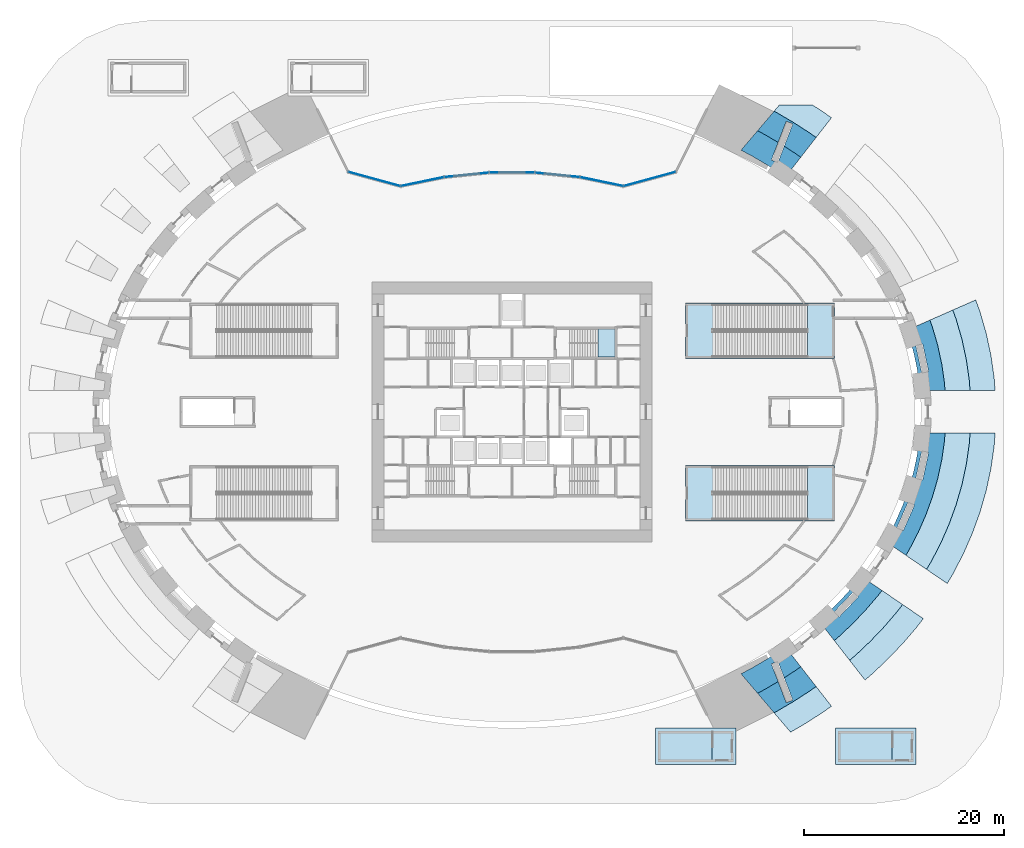
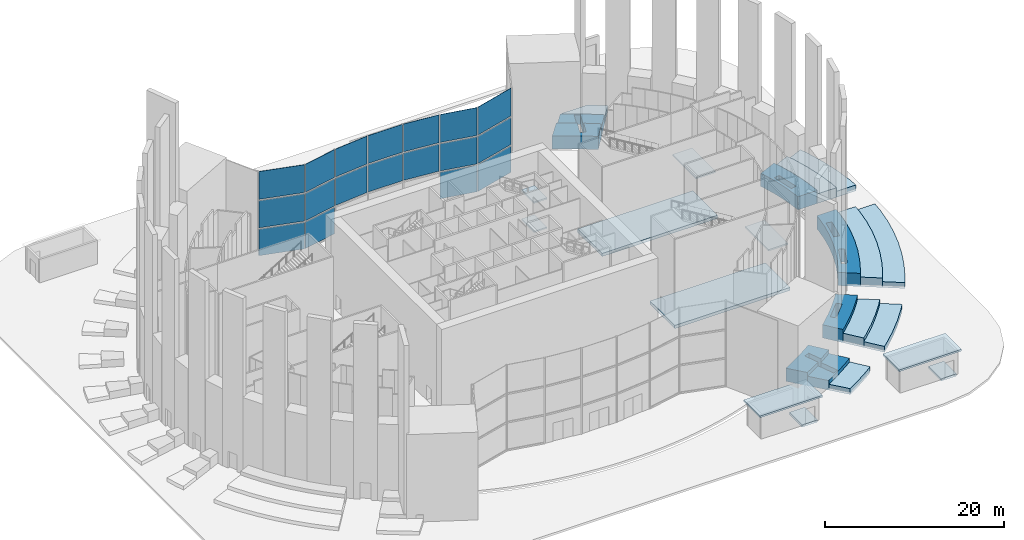
# One storey, part 5 of 25: 25 slabs, 18 plates, 4 elements without a shape of their own.
"""IFC4 building model written with IfcOpenShell, lengths in metres."""

from ifc_helpers import new_model, si_unit, direction, frame, origin, origin_2d, place, context, subcontext, project, spatial, polyline, rectangle, outline, extrude, source, transform, mapped, material, layer, layer_set, type_object, element, aggregate, save


model = new_model("IFC4")

# Units and contexts
model_context = context("Model", 3, precision=1e-05, world=origin(), true_north=direction((0.0, 1.0)))
body_context = subcontext(model_context, "Body", "Model", "MODEL_VIEW")
ifc_project = project(units=[si_unit("LENGTHUNIT", "METRE"), si_unit("AREAUNIT", "SQUARE_METRE"), si_unit("VOLUMEUNIT", "CUBIC_METRE"), si_unit("PLANEANGLEUNIT", "RADIAN"), si_unit("MASSUNIT", "GRAM", prefix="KILO")], contexts=[model_context])

# Site, building, storey
site_placement = place(None, origin())
site = spatial("IfcSite", under=ifc_project, at=site_placement, CompositionType="ELEMENT")
building_placement = place(site_placement, origin())
building = spatial("IfcBuilding", under=site, at=building_placement, Name="Embergate Tower", CompositionType="ELEMENT")
storey_placement = place(building_placement, origin())
storey = spatial("IfcBuildingStorey", under=building, at=storey_placement, Name="L00", CompositionType="ELEMENT", Elevation=0.0)

# Curtain wall, plates
ifc_material_1 = material(Name="Aluminium and glass", Category="aluminium")
curtain_wall_type = type_object("IfcCurtainWallType", Name="Portal infill glazing", PredefinedType="NOTDEFINED", material=ifc_material_1)
curtain_wall_placement = place(storey_placement, origin())
curtain_wall = element("IfcCurtainWall", 1, at=curtain_wall_placement, inside=storey, type_object=curtain_wall_type, Name="Portal infill glazing N porch", ObjectType="PORTAL INFILL GLAZING", PredefinedType="USERDEFINED")
ifc_material_2 = material(Name="Triple glazing, low-emissivity coating", Category="glass")
ifc_layer_1 = layer(ifc_material_2, 0.0458984375)
ifc_layer_set_1 = layer_set([ifc_layer_1], Name="Triple glazing, low-emissivity coating")
plate_type = type_object("IfcPlateType", Name="Portal glazing unit", PredefinedType="CURTAIN_PANEL", material=ifc_layer_set_1)
shared_shape_1 = source(origin(), body_context, "Body", "SweptSolid", [
    extrude(rectangle(XDim=5.27783203125, YDim=0.0458984375, at=origin_2d()), origin(), (0.0, 0.0, 1.0), 3.6298828125),
])
plate_1_placement = place(storey_placement, frame((13.76904296875, 23.303955078125, 0.18017578125), z_axis=(0.0, 0.0, 1.0), x_axis=(-0.96460667999, -0.263692914045, 0.0)))
plate_1 = element("IfcPlate", 2, at=plate_1_placement, type_object=plate_type, Name="CW panel 1.1", PredefinedType="CURTAIN_PANEL", context=body_context, shape_type="MappedRepresentation", body=[
    mapped(shared_shape_1, transform((0.0, 0.0, 0.0))),
])
plate_2_placement = place(storey_placement, frame((-13.76904296875, 23.303955078125, 0.18017578125), z_axis=(0.0, 0.0, 1.0), x_axis=(-0.96460667999, 0.263692914045, 0.0)))
plate_2 = element("IfcPlate", 3, at=plate_2_placement, type_object=plate_type, Name="CW panel 7.1", PredefinedType="CURTAIN_PANEL", context=body_context, shape_type="MappedRepresentation", body=[
    mapped(shared_shape_1, transform((0.0, 0.0, 0.0))),
])
shared_shape_2 = source(origin(), body_context, "Body", "SweptSolid", [
    extrude(rectangle(XDim=5.27783203125, YDim=0.0458984375, at=origin_2d()), origin(), (0.0, 0.0, 1.0), 3.719970703125),
])
plate_3_placement = place(storey_placement, frame((13.76904296875, 23.303955078125, 3.990234375), z_axis=(0.0, 0.0, 1.0), x_axis=(-0.96460667999, -0.263692914045, 0.0)))
plate_3 = element("IfcPlate", 4, at=plate_3_placement, type_object=plate_type, Name="CW panel 1.2", PredefinedType="CURTAIN_PANEL", context=body_context, shape_type="MappedRepresentation", body=[
    mapped(shared_shape_2, transform((0.0, 0.0, 0.0))),
])
plate_4_placement = place(storey_placement, frame((-13.76904296875, 23.303955078125, 3.990234375), z_axis=(0.0, 0.0, 1.0), x_axis=(-0.96460667999, 0.263692914045, 0.0)))
plate_4 = element("IfcPlate", 5, at=plate_4_placement, type_object=plate_type, Name="CW panel 7.2", PredefinedType="CURTAIN_PANEL", context=body_context, shape_type="MappedRepresentation", body=[
    mapped(shared_shape_2, transform((0.0, 0.0, 0.0))),
])
shared_shape_3 = source(origin(), body_context, "Body", "SweptSolid", [
    extrude(rectangle(XDim=5.27783203125, YDim=0.0458984375, at=origin_2d()), origin(), (0.0, 0.0, 1.0), 3.81005859375),
])
plate_5_placement = place(storey_placement, frame((13.76904296875, 23.303955078125, 7.889892578125), z_axis=(0.0, 0.0, 1.0), x_axis=(-0.96460667999, -0.263692914045, 0.0)))
plate_5 = element("IfcPlate", 6, at=plate_5_placement, type_object=plate_type, Name="CW panel 1.3", PredefinedType="CURTAIN_PANEL", context=body_context, shape_type="MappedRepresentation", body=[
    mapped(shared_shape_3, transform((0.0, 0.0, 0.0))),
])
plate_6_placement = place(storey_placement, frame((-13.76904296875, 23.303955078125, 7.889892578125), z_axis=(0.0, 0.0, 1.0), x_axis=(-0.96460667999, 0.263692914045, 0.0)))
plate_6 = element("IfcPlate", 7, at=plate_6_placement, type_object=plate_type, Name="CW panel 7.3", PredefinedType="CURTAIN_PANEL", context=body_context, shape_type="MappedRepresentation", body=[
    mapped(shared_shape_3, transform((0.0, 0.0, 0.0))),
])
shared_shape_4 = source(origin(), body_context, "Body", "SweptSolid", [
    extrude(rectangle(XDim=4.322509765625, YDim=0.0458984375, at=origin_2d()), origin(), (0.0, 0.0, 1.0), 3.6298828125),
])
plate_7_placement = place(storey_placement, frame((8.970458984375, 23.03857421875, 0.18017578125), z_axis=(0.0, 0.0, 1.0), x_axis=(-0.979538383697, 0.201257434309, 0.0)))
plate_7 = element("IfcPlate", 8, at=plate_7_placement, type_object=plate_type, Name="CW panel 2.1", PredefinedType="CURTAIN_PANEL", context=body_context, shape_type="MappedRepresentation", body=[
    mapped(shared_shape_4, transform((0.0, 0.0, 0.0))),
])
plate_8_placement = place(storey_placement, frame((-8.970458984375, 23.03857421875, 0.18017578125), z_axis=(0.0, 0.0, 1.0), x_axis=(-0.979538383697, -0.201257434309, 0.0)))
plate_8 = element("IfcPlate", 9, at=plate_8_placement, type_object=plate_type, Name="CW panel 6.1", PredefinedType="CURTAIN_PANEL", context=body_context, shape_type="MappedRepresentation", body=[
    mapped(shared_shape_4, transform((0.0, 0.0, 0.0))),
])
shared_shape_5 = source(origin(), body_context, "Body", "SweptSolid", [
    extrude(rectangle(XDim=4.322509765625, YDim=0.0458984375, at=origin_2d()), origin(), (0.0, 0.0, 1.0), 3.719970703125),
])
plate_9_placement = place(storey_placement, frame((8.970458984375, 23.03857421875, 3.990234375), z_axis=(0.0, 0.0, 1.0), x_axis=(-0.979538383697, 0.201257434309, 0.0)))
plate_9 = element("IfcPlate", 10, at=plate_9_placement, type_object=plate_type, Name="CW panel 2.2", PredefinedType="CURTAIN_PANEL", context=body_context, shape_type="MappedRepresentation", body=[
    mapped(shared_shape_5, transform((0.0, 0.0, 0.0))),
])
plate_10_placement = place(storey_placement, frame((-8.970458984375, 23.03857421875, 3.990234375), z_axis=(0.0, 0.0, 1.0), x_axis=(-0.979538383697, -0.201257434309, 0.0)))
plate_10 = element("IfcPlate", 11, at=plate_10_placement, type_object=plate_type, Name="CW panel 6.2", PredefinedType="CURTAIN_PANEL", context=body_context, shape_type="MappedRepresentation", body=[
    mapped(shared_shape_5, transform((0.0, 0.0, 0.0))),
])
shared_shape_6 = source(origin(), body_context, "Body", "SweptSolid", [
    extrude(rectangle(XDim=4.322509765625, YDim=0.0458984375, at=origin_2d()), origin(), (0.0, 0.0, 1.0), 3.81005859375),
])
plate_11_placement = place(storey_placement, frame((8.970458984375, 23.03857421875, 7.889892578125), z_axis=(0.0, 0.0, 1.0), x_axis=(-0.979538383697, 0.201257434309, 0.0)))
plate_11 = element("IfcPlate", 12, at=plate_11_placement, type_object=plate_type, Name="CW panel 2.3", PredefinedType="CURTAIN_PANEL", context=body_context, shape_type="MappedRepresentation", body=[
    mapped(shared_shape_6, transform((0.0, 0.0, 0.0))),
])
plate_12_placement = place(storey_placement, frame((-8.970458984375, 23.03857421875, 7.889892578125), z_axis=(0.0, 0.0, 1.0), x_axis=(-0.979538383697, -0.201257434309, 0.0)))
plate_12 = element("IfcPlate", 13, at=plate_12_placement, type_object=plate_type, Name="CW panel 6.3", PredefinedType="CURTAIN_PANEL", context=body_context, shape_type="MappedRepresentation", body=[
    mapped(shared_shape_6, transform((0.0, 0.0, 0.0))),
])
shared_shape_7 = source(origin(), body_context, "Body", "SweptSolid", [
    extrude(rectangle(XDim=4.390869140625, YDim=0.0458984375, at=origin_2d()), origin(), (0.0, 0.0, 1.0), 3.719970703125),
])
plate_13_placement = place(storey_placement, frame((4.531005859375, 23.71533203125, 3.990234375), z_axis=(0.0, 0.0, 1.0), x_axis=(-0.994941904343, 0.100452013328, 0.0)))
plate_13 = element("IfcPlate", 14, at=plate_13_placement, type_object=plate_type, Name="CW panel 3.2", PredefinedType="CURTAIN_PANEL", context=body_context, shape_type="MappedRepresentation", body=[
    mapped(shared_shape_7, transform((0.0, 0.0, 0.0))),
])
plate_14_placement = place(storey_placement, frame((-4.531005859375, 23.71533203125, 3.990234375), z_axis=(0.0, 0.0, 1.0), x_axis=(-0.994941904343, -0.100452013328, 0.0)))
plate_14 = element("IfcPlate", 15, at=plate_14_placement, type_object=plate_type, Name="CW panel 5.2", PredefinedType="CURTAIN_PANEL", context=body_context, shape_type="MappedRepresentation", body=[
    mapped(shared_shape_7, transform((0.0, 0.0, 0.0))),
])
shared_shape_8 = source(origin(), body_context, "Body", "SweptSolid", [
    extrude(rectangle(XDim=4.390869140625, YDim=0.0458984375, at=origin_2d()), origin(), (0.0, 0.0, 1.0), 3.81005859375),
])
plate_15_placement = place(storey_placement, frame((4.531005859375, 23.71533203125, 7.889892578125), z_axis=(0.0, 0.0, 1.0), x_axis=(-0.994941904343, 0.100452013328, 0.0)))
plate_15 = element("IfcPlate", 16, at=plate_15_placement, type_object=plate_type, Name="CW panel 3.3", PredefinedType="CURTAIN_PANEL", context=body_context, shape_type="MappedRepresentation", body=[
    mapped(shared_shape_8, transform((0.0, 0.0, 0.0))),
])
plate_16_placement = place(storey_placement, frame((-4.531005859375, 23.71533203125, 7.889892578125), z_axis=(0.0, 0.0, 1.0), x_axis=(-0.994941904343, -0.100452013328, 0.0)))
plate_16 = element("IfcPlate", 17, at=plate_16_placement, type_object=plate_type, Name="CW panel 5.3", PredefinedType="CURTAIN_PANEL", context=body_context, shape_type="MappedRepresentation", body=[
    mapped(shared_shape_8, transform((0.0, 0.0, 0.0))),
])
shared_shape_9 = source(origin(), body_context, "Body", "SweptSolid", [
    extrude(rectangle(XDim=4.4140625, YDim=0.0458984375, at=origin_2d()), origin(), (0.0, 0.0, 1.0), 3.719970703125),
])
plate_17_placement = place(storey_placement, frame((0.0, 23.94287109375, 3.990234375), z_axis=(0.0, 0.0, 1.0), x_axis=(-1.0, 0.0, 0.0)))
plate_17 = element("IfcPlate", 18, at=plate_17_placement, type_object=plate_type, Name="CW panel 4.2", PredefinedType="CURTAIN_PANEL", context=body_context, shape_type="MappedRepresentation", body=[
    mapped(shared_shape_9, transform((0.0, 0.0, 0.0))),
])
shared_shape_10 = source(origin(), body_context, "Body", "SweptSolid", [
    extrude(rectangle(XDim=4.4140625, YDim=0.0458984375, at=origin_2d()), origin(), (0.0, 0.0, 1.0), 3.81005859375),
])
plate_18_placement = place(storey_placement, frame((0.0, 23.94287109375, 7.889892578125), z_axis=(0.0, 0.0, 1.0), x_axis=(-1.0, 0.0, 0.0)))
plate_18 = element("IfcPlate", 19, at=plate_18_placement, type_object=plate_type, Name="CW panel 4.3", PredefinedType="CURTAIN_PANEL", context=body_context, shape_type="MappedRepresentation", body=[
    mapped(shared_shape_10, transform((0.0, 0.0, 0.0))),
])
aggregate(curtain_wall, [plate_1, plate_3, plate_5, plate_7, plate_9, plate_11, plate_13, plate_15, plate_17, plate_18, plate_14, plate_16, plate_8, plate_10, plate_12, plate_2, plate_4, plate_6])

# Stair, slabs
ifc_material_3 = material(Name="Exit stair")
stair_type_1 = type_object("IfcStairType", Name="Exit stair", PredefinedType="HALF_TURN_STAIR", material=ifc_material_3)
stair_1_placement = place(storey_placement, origin())
stair_1 = element("IfcStair", 20, at=stair_1_placement, inside=storey, type_object=stair_type_1, Name="L00 Exit stair 2", PredefinedType="HALF_TURN_STAIR")
ifc_material_4 = material(Name="Concrete C40", Category="concrete")
ifc_layer_2 = layer(ifc_material_4, 0.199951171875)
ifc_layer_set_2 = layer_set([ifc_layer_2], Name="Concrete C40")
slab_type_1 = type_object("IfcSlabType", Name="Stair landing reinforced concrete", PredefinedType="LANDING", material=ifc_layer_set_2)
shared_shape_11 = source(origin(), body_context, "Body", "SweptSolid", [
    extrude(outline(polyline([(0.0, 0.0), (1.68994140625, 0.0), (1.68994140625, 2.800048828125), (0.0, 2.800048828125), (0.0, 0.0)])), origin(), (0.0, 0.0, 1.0), 0.199951171875),
])
slab_1_placement = place(storey_placement, frame((8.610107421875, 5.5, 5.800048828125)))
slab_1 = element("IfcSlab", 21, at=slab_1_placement, type_object=slab_type_1, Name="ST2 landing 3", PredefinedType="LANDING", context=body_context, shape_type="MappedRepresentation", body=[
    mapped(shared_shape_11, transform((0.0, 0.0, 0.0))),
])
slab_2_placement = place(storey_placement, frame((8.610107421875, 5.5, 9.800048828125)))
slab_2 = element("IfcSlab", 22, at=slab_2_placement, type_object=slab_type_1, Name="ST2 landing 5", PredefinedType="LANDING", context=body_context, shape_type="MappedRepresentation", body=[
    mapped(shared_shape_11, transform((0.0, 0.0, 0.0))),
])
aggregate(stair_1, [slab_1, slab_2])

# Slabs
ifc_layer_3 = layer(ifc_material_4, 0.419921875)
ifc_layer_set_3 = layer_set([ifc_layer_3], Name="Concrete C40")
slab_type_2 = type_object("IfcSlabType", Name="Stair base slab C40 420", PredefinedType="FLOOR", material=ifc_layer_set_3)
shared_shape_12 = source(origin(), body_context, "Body", "SweptSolid", [
    extrude(outline(polyline([(0.0, 0.0), (0.0, 5.5498046875), (14.919921875, 5.5498046875), (14.919921875, 0.0), (0.0, 0.0)])), origin(), (0.0, 0.0, 1.0), 0.419921875),
])
for number, where, name in (
    (23, (17.35009765625, 5.35009765625, -0.419921875), "Stair base slab"),
    (24, (17.35009765625, -10.89990234375, -0.419921875), "Stair base slab"),
):
    element("IfcSlab", number, at=place(storey_placement, frame(where)), inside=storey, type_object=slab_type_2, Name=name, PredefinedType="FLOOR", context=body_context, shape_type="MappedRepresentation", body=[
        mapped(shared_shape_12, transform((0.0, 0.0, 0.0))),
    ])

# Stair, slab
stair_type_2 = type_object("IfcStairType", Name="Podium exit stair RC", PredefinedType="HALF_TURN_STAIR", material=ifc_material_4)
stair_2_placement = place(storey_placement, origin())
stair_2 = element("IfcStair", 25, at=stair_2_placement, inside=storey, type_object=stair_type_2, Name="L00 Podium exit stair 1", PredefinedType="HALF_TURN_STAIR")
ifc_layer_4 = layer(ifc_material_4, 0.199951171875)
ifc_layer_set_4 = layer_set([ifc_layer_4], Name="Concrete C40")
slab_type_3 = type_object("IfcSlabType", Name="Podium exit stair landing RC", PredefinedType="LANDING", material=ifc_layer_set_4)
shared_shape_13 = source(origin(), body_context, "Body", "SweptSolid", [
    extrude(outline(polyline([(0.0, 0.0), (2.550048828125, 0.0), (2.550048828125, 5.25), (0.0, 5.25), (0.0, 0.0)])), origin(), (0.0, 0.0, 1.0), 0.199951171875),
])
slab_3_placement = place(storey_placement, frame((29.570068359375, 5.5, 5.800048828125)))
slab_3 = element("IfcSlab", 26, at=slab_3_placement, type_object=slab_type_3, Name="P1 landing 1", PredefinedType="LANDING", context=body_context, shape_type="MappedRepresentation", body=[
    mapped(shared_shape_13, transform((0.0, 0.0, 0.0))),
])
aggregate(stair_2, [slab_3])

stair_3_placement = place(storey_placement, origin())
stair_3 = element("IfcStair", 27, at=stair_3_placement, inside=storey, type_object=stair_type_2, Name="L00 Podium exit stair 2", PredefinedType="HALF_TURN_STAIR")
slab_4_placement = place(storey_placement, frame((29.570068359375, -10.75, 5.800048828125)))
slab_4 = element("IfcSlab", 28, at=slab_4_placement, type_object=slab_type_3, Name="P2 landing 1", PredefinedType="LANDING", context=body_context, shape_type="MappedRepresentation", body=[
    mapped(shared_shape_13, transform((0.0, 0.0, 0.0))),
])
aggregate(stair_3, [slab_4])

# Slabs
ifc_layer_5 = layer(ifc_material_4, 0.300048828125)
ifc_layer_set_5 = layer_set([ifc_layer_5], Name="Concrete C40")
slab_type_4 = type_object("IfcSlabType", Name="Pavilion floor C40 300", PredefinedType="FLOOR", material=ifc_layer_set_5)
shared_shape_14 = source(origin(), body_context, "Body", "SweptSolid", [
    extrude(outline(polyline([(0.0, 0.0), (0.0, 2.85009765625), (2.0, 2.85009765625), (2.0, 0.0), (0.0, 0.0)])), origin(), (0.0, 0.0, 1.0), 0.300048828125),
])
for number, where, name in (
    (29, (20.0, -34.85009765625, -0.300048828125), "Pavilion floor"),
    (30, (38.0, -34.85009765625, -0.300048828125), "Pavilion floor"),
):
    element("IfcSlab", number, at=place(storey_placement, frame(where)), inside=storey, type_object=slab_type_4, Name=name, PredefinedType="FLOOR", context=body_context, shape_type="MappedRepresentation", body=[
        mapped(shared_shape_14, transform((0.0, 0.0, 0.0))),
    ])
ifc_layer_6 = layer(ifc_material_4, 0.25)
ifc_layer_set_6 = layer_set([ifc_layer_6], Name="Concrete C40")
slab_type_5 = type_object("IfcSlabType", Name="Stair head house roof C40 250", PredefinedType="ROOF", material=ifc_layer_set_6)
shared_shape_15 = source(origin(), body_context, "Body", "SweptSolid", [
    extrude(outline(polyline([(0.0, 0.0), (8.06982421875, 0.0), (8.06982421875, 3.64990234375), (0.0, 3.64990234375), (0.0, 0.0)])), origin(), (0.0, 0.0, 1.0), 0.25),
])
for number, where, name in (
    (31, (14.330078125, -35.25, 3.199951171875), "Stair head house roof"),
    (32, (32.330078125, -35.25, 3.199951171875), "Stair head house roof"),
):
    element("IfcSlab", number, at=place(storey_placement, frame(where)), inside=storey, type_object=slab_type_5, Name=name, PredefinedType="ROOF", context=body_context, shape_type="MappedRepresentation", body=[
        mapped(shared_shape_15, transform((0.0, 0.0, 0.0))),
    ])
ifc_material_5 = material(Name="Stone on concrete fill", Category="masonry")
ifc_layer_7 = layer(ifc_material_5, 0.5)
ifc_layer_set_7 = layer_set([ifc_layer_7], Name="Stone plinth step")
slab_type_6 = type_object("IfcSlabType", Name="Plinth step stone 500", PredefinedType="USERDEFINED", material=ifc_layer_set_7)
shared_shape_16 = source(origin(), body_context, "Body", "SweptSolid", [
    extrude(outline(polyline([(0.0, 0.0), (2.505126953125, 0.0), (2.451171875, 0.757080078125), (2.18017578125, 2.64990234375), (1.776123046875, 4.52490234375), (1.2421875, 6.3759765625), (0.9921875, 7.06494140625), (-1.2998046875, 6.055908203125), (-1.135009765625, 5.60107421875), (-0.64794921875, 3.9150390625), (-0.281005859375, 2.208984375), (-0.034912109375, 0.489990234375), (0.0, 0.0)]), holes=[polyline([(0.18408203125, 1.763916015625), (-0.412841796875, 4.528076171875), (0.27099609375, 4.676025390625), (0.8681640625, 1.912109375), (0.18408203125, 1.763916015625)])]), origin(), (0.0, 0.0, 1.0), 1.800048828125),
])
slab_5_placement = place(storey_placement, frame((40.794921875, 2.125, -0.300048828125)))
element("IfcSlab", 33, at=slab_5_placement, inside=storey, type_object=slab_type_6, Name="Plinth step", ObjectType="PLINTH STEP", PredefinedType="USERDEFINED", context=body_context, shape_type="MappedRepresentation", body=[
    mapped(shared_shape_16, transform((0.0, 0.0, 0.0))),
])
shared_shape_17 = source(origin(), body_context, "Body", "SweptSolid", [
    extrude(outline(polyline([(0.0, 0.0), (-0.38623046875, 0.27392578125), (-1.82421875, 1.201904296875), (-3.314208984375, 2.0791015625), (-4.442138671875, 2.680908203125), (-2.7861328125, 4.6298828125), (-2.092041015625, 4.259033203125), (-0.72412109375, 3.455078125), (-1.404052734375, 1.68896484375), (-0.751220703125, 1.43701171875), (-0.1201171875, 3.076904296875), (1.014892578125, 2.343994140625), (1.536865234375, 1.97412109375), (0.0, 0.0)])), origin(), (0.0, 0.0, 1.0), 1.800048828125),
])
slab_6_placement = place(storey_placement, frame((27.339111328125, 23.5, -0.300048828125)))
element("IfcSlab", 34, at=slab_6_placement, inside=storey, type_object=slab_type_6, Name="Plinth step", ObjectType="PLINTH STEP", PredefinedType="USERDEFINED", context=body_context, shape_type="MappedRepresentation", body=[
    mapped(shared_shape_17, transform((0.0, 0.0, 0.0))),
])
shared_shape_18 = source(origin(), body_context, "Body", "SweptSolid", [
    extrude(outline(polyline([(0.0, 0.0), (-1.656005859375, 1.948974609375), (-0.528076171875, 2.55078125), (0.9619140625, 3.427978515625), (2.39990234375, 4.35595703125), (2.7861328125, 4.6298828125), (4.322998046875, 2.65576171875), (3.801025390625, 2.285888671875), (2.666015625, 1.552978515625), (2.034912109375, 3.19287109375), (1.382080078125, 2.94091796875), (2.06201171875, 1.1748046875), (0.694091796875, 0.370849609375), (0.0, 0.0)])), origin(), (0.0, 0.0, 1.0), 1.800048828125),
])
slab_7_placement = place(storey_placement, frame((24.552978515625, -28.1298828125, -0.300048828125)))
element("IfcSlab", 35, at=slab_7_placement, inside=storey, type_object=slab_type_6, Name="Plinth step", ObjectType="PLINTH STEP", PredefinedType="USERDEFINED", context=body_context, shape_type="MappedRepresentation", body=[
    mapped(shared_shape_18, transform((0.0, 0.0, 0.0))),
])
shared_shape_19 = source(origin(), body_context, "Body", "SweptSolid", [
    extrude(outline(polyline([(0.0, 0.0), (0.491943359375, 0.421875), (1.85888671875, 1.7158203125), (3.14501953125, 3.06494140625), (4.347900390625, 4.4658203125), (4.77001953125, 5.015869140625), (2.701904296875, 6.427001953125), (2.407958984375, 6.04296875), (1.2919921875, 4.742919921875), (0.094970703125, 3.48681640625), (-1.18115234375, 2.27978515625), (-1.537109375, 1.973876953125), (0.0, 0.0)]), holes=[polyline([(0.492919921875, 2.372802734375), (-0.01318359375, 2.85693359375), (1.891845703125, 4.848876953125), (2.39794921875, 4.364990234375), (0.492919921875, 2.372802734375)])]), origin(), (0.0, 0.0, 1.0), 1.800048828125),
])
slab_8_placement = place(storey_placement, frame((32.22607421875, -22.85888671875, -0.300048828125)))
element("IfcSlab", 36, at=slab_8_placement, inside=storey, type_object=slab_type_6, Name="Plinth step", ObjectType="PLINTH STEP", PredefinedType="USERDEFINED", context=body_context, shape_type="MappedRepresentation", body=[
    mapped(shared_shape_19, transform((0.0, 0.0, 0.0))),
])
shared_shape_20 = source(origin(), body_context, "Body", "SweptSolid", [
    extrude(outline(polyline([(0.0, 0.0), (0.361083984375, 0.60498046875), (1.241943359375, 2.30810546875), (2.006103515625, 4.051025390625), (2.651123046875, 5.828125), (3.18505859375, 7.67919921875), (3.589111328125, 9.55419921875), (3.860107421875, 11.447021484375), (3.9140625, 12.2041015625), (1.408935546875, 12.2041015625), (1.3740234375, 11.714111328125), (1.1279296875, 9.9951171875), (0.760986328125, 8.2890625), (0.27392578125, 6.60302734375), (-0.31494140625, 4.97998046875), (-1.013916015625, 3.385009765625), (-1.822021484375, 1.822021484375), (-2.06787109375, 1.4111328125), (0.0, 0.0)]), holes=[polyline([(-0.265869140625, 2.45703125), (-0.906005859375, 2.739013671875), (0.22412109375, 5.30908203125), (0.864990234375, 5.027099609375), (-0.265869140625, 2.45703125)]), polyline([(1.679931640625, 7.528076171875), (0.99609375, 7.676025390625), (1.593017578125, 10.440185546875), (2.277099609375, 10.2919921875), (1.679931640625, 7.528076171875)])]), origin(), (0.0, 0.0, 1.0), 1.800048828125),
])
slab_9_placement = place(storey_placement, frame((39.385986328125, -14.3291015625, -0.300048828125)))
element("IfcSlab", 37, at=slab_9_placement, inside=storey, type_object=slab_type_6, Name="Plinth step", ObjectType="PLINTH STEP", PredefinedType="USERDEFINED", context=body_context, shape_type="MappedRepresentation", body=[
    mapped(shared_shape_20, transform((0.0, 0.0, 0.0))),
])
shared_shape_21 = source(origin(), body_context, "Body", "SweptSolid", [
    extrude(outline(polyline([(0.0, 0.0), (-0.053955078125, 0.757080078125), (-0.324951171875, 2.64990234375), (-0.72900390625, 4.52490234375), (-1.262939453125, 6.3759765625), (-1.512939453125, 7.06494140625), (0.779052734375, 8.073974609375), (1.114013671875, 7.15087890625), (1.696044921875, 5.135009765625), (2.135986328125, 3.090087890625), (2.430908203125, 1.02392578125), (2.50390625, 0.0), (0.0, 0.0)])), origin(), (0.0, 0.0, 1.0), 1.300048828125),
])
slab_10_placement = place(storey_placement, frame((43.300048828125, 2.125, -0.300048828125)))
element("IfcSlab", 38, at=slab_10_placement, inside=storey, type_object=slab_type_6, Name="Plinth step", ObjectType="PLINTH STEP", PredefinedType="USERDEFINED", context=body_context, shape_type="MappedRepresentation", body=[
    mapped(shared_shape_21, transform((0.0, 0.0, 0.0))),
])
shared_shape_22 = source(origin(), body_context, "Body", "SweptSolid", [
    extrude(outline(polyline([(0.0, 0.0), (-0.52197265625, 0.369873046875), (-1.656982421875, 1.102783203125), (-0.79296875, 3.3427734375), (-1.446044921875, 3.594970703125), (-2.260986328125, 1.48095703125), (-3.62890625, 2.284912109375), (-4.322998046875, 2.65576171875), (-2.66796875, 4.60498046875), (-2.406982421875, 4.4658203125), (-0.737060546875, 3.48388671875), (0.87890625, 2.44091796875), (1.537109375, 1.973876953125), (0.0, 0.0)])), origin(), (0.0, 0.0, 1.0), 1.300048828125),
])
slab_11_placement = place(storey_placement, frame((28.8759765625, 25.47412109375, -0.300048828125)))
element("IfcSlab", 39, at=slab_11_placement, inside=storey, type_object=slab_type_6, Name="Plinth step", ObjectType="PLINTH STEP", PredefinedType="USERDEFINED", context=body_context, shape_type="MappedRepresentation", body=[
    mapped(shared_shape_22, transform((0.0, 0.0, 0.0))),
])
shared_shape_23 = source(origin(), body_context, "Body", "SweptSolid", [
    extrude(outline(polyline([(0.0, 0.0), (-1.655029296875, 1.94921875), (-0.9609375, 2.320068359375), (0.406982421875, 3.1240234375), (1.221923828125, 1.010009765625), (1.875, 1.26220703125), (1.010986328125, 3.502197265625), (2.14599609375, 4.235107421875), (2.66796875, 4.60498046875), (4.205078125, 2.631103515625), (3.546875, 2.1640625), (1.930908203125, 1.12109375), (0.260986328125, 0.13916015625), (0.0, 0.0)])), origin(), (0.0, 0.0, 1.0), 1.300048828125),
])
slab_12_placement = place(storey_placement, frame((26.2080078125, -30.0791015625, -0.300048828125)))
element("IfcSlab", 40, at=slab_12_placement, inside=storey, type_object=slab_type_6, Name="Plinth step", ObjectType="PLINTH STEP", PredefinedType="USERDEFINED", context=body_context, shape_type="MappedRepresentation", body=[
    mapped(shared_shape_23, transform((0.0, 0.0, 0.0))),
])
shared_shape_24 = source(origin(), body_context, "Body", "SweptSolid", [
    extrude(outline(polyline([(0.0, 0.0), (-1.537841796875, 1.97412109375), (-1.0458984375, 2.39599609375), (0.321044921875, 3.68994140625), (1.607177734375, 5.0390625), (2.81005859375, 6.43994140625), (3.232177734375, 6.989990234375), (5.300048828125, 5.580078125), (4.7490234375, 4.863037109375), (3.461181640625, 3.361083984375), (2.085205078125, 1.9189453125), (0.627197265625, 0.5380859375), (0.0, 0.0)])), origin(), (0.0, 0.0, 1.0), 1.300048828125),
])
slab_13_placement = place(storey_placement, frame((33.763916015625, -24.8330078125, -0.300048828125)))
element("IfcSlab", 41, at=slab_13_placement, inside=storey, type_object=slab_type_6, Name="Plinth step", ObjectType="PLINTH STEP", PredefinedType="USERDEFINED", context=body_context, shape_type="MappedRepresentation", body=[
    mapped(shared_shape_24, transform((0.0, 0.0, 0.0))),
])
shared_shape_25 = source(origin(), body_context, "Body", "SweptSolid", [
    extrude(outline(polyline([(0.0, 0.0), (-2.069091796875, 1.409912109375), (-1.7080078125, 2.014892578125), (-0.8271484375, 3.718017578125), (-0.06298828125, 5.4609375), (0.58203125, 7.238037109375), (1.115966796875, 9.089111328125), (1.52001953125, 10.964111328125), (1.791015625, 12.85693359375), (1.844970703125, 13.614013671875), (4.348876953125, 13.614013671875), (4.27587890625, 12.590087890625), (3.98095703125, 10.52392578125), (3.541015625, 8.47900390625), (2.958984375, 6.463134765625), (2.2578125, 4.531005859375), (1.428955078125, 2.64111328125), (0.475830078125, 0.798095703125), (0.0, 0.0)])), origin(), (0.0, 0.0, 1.0), 1.300048828125),
])
slab_14_placement = place(storey_placement, frame((41.455078125, -15.739013671875, -0.300048828125)))
element("IfcSlab", 42, at=slab_14_placement, inside=storey, type_object=slab_type_6, Name="Plinth step", ObjectType="PLINTH STEP", PredefinedType="USERDEFINED", context=body_context, shape_type="MappedRepresentation", body=[
    mapped(shared_shape_25, transform((0.0, 0.0, 0.0))),
])
shared_shape_26 = source(origin(), body_context, "Body", "SweptSolid", [
    extrude(outline(polyline([(0.0, 0.0), (-0.072998046875, 1.02392578125), (-0.367919921875, 3.090087890625), (-0.807861328125, 5.135009765625), (-1.389892578125, 7.15087890625), (-1.724853515625, 8.073974609375), (0.567138671875, 9.08203125), (0.987060546875, 7.926025390625), (1.615966796875, 5.7451171875), (2.093017578125, 3.531005859375), (2.4130859375, 1.291015625), (2.505126953125, 0.0), (0.0, 0.0)])), origin(), (0.0, 0.0, 1.0), 0.800048828125),
])
slab_15_placement = place(storey_placement, frame((45.803955078125, 2.125, -0.300048828125)))
element("IfcSlab", 43, at=slab_15_placement, inside=storey, type_object=slab_type_6, Name="Plinth step", ObjectType="PLINTH STEP", PredefinedType="USERDEFINED", context=body_context, shape_type="MappedRepresentation", body=[
    mapped(shared_shape_26, transform((0.0, 0.0, 0.0))),
])
shared_shape_27 = source(origin(), body_context, "Body", "SweptSolid", [
    extrude(outline(polyline([(0.0, 0.0), (-0.658203125, 0.467041015625), (-2.274169921875, 1.510009765625), (-3.944091796875, 2.491943359375), (-4.205078125, 2.631103515625), (-3.677001953125, 3.251953125), (-3.4130859375, 3.251953125), (-1.4130859375, 3.251953125), (-0.363037109375, 3.251953125), (0.742919921875, 2.537109375), (1.536865234375, 1.97412109375), (0.0, 0.0)])), origin(), (0.0, 0.0, 1.0), 0.800048828125),
])
slab_16_placement = place(storey_placement, frame((30.4130859375, 27.447998046875, -0.300048828125)))
element("IfcSlab", 44, at=slab_16_placement, inside=storey, type_object=slab_type_6, Name="Plinth step", ObjectType="PLINTH STEP", PredefinedType="USERDEFINED", context=body_context, shape_type="MappedRepresentation", body=[
    mapped(shared_shape_27, transform((0.0, 0.0, 0.0))),
])
shared_shape_28 = source(origin(), body_context, "Body", "SweptSolid", [
    extrude(outline(polyline([(0.0, 0.0), (-1.65087890625, 1.94287109375), (-1.389892578125, 2.08203125), (0.280029296875, 3.06396484375), (1.89599609375, 4.10693359375), (2.55419921875, 4.573974609375), (4.091064453125, 2.599853515625), (3.297119140625, 2.036865234375), (1.592041015625, 0.93505859375), (0.0, 0.0)])), origin(), (0.0, 0.0, 1.0), 0.800048828125),
])
slab_17_placement = place(storey_placement, frame((27.85888671875, -32.02197265625, -0.300048828125)))
element("IfcSlab", 45, at=slab_17_placement, inside=storey, type_object=slab_type_6, Name="Plinth step", ObjectType="PLINTH STEP", PredefinedType="USERDEFINED", context=body_context, shape_type="MappedRepresentation", body=[
    mapped(shared_shape_28, transform((0.0, 0.0, 0.0))),
])
shared_shape_29 = source(origin(), body_context, "Body", "SweptSolid", [
    extrude(outline(polyline([(0.0, 0.0), (-1.537109375, 1.97509765625), (-0.909912109375, 2.51318359375), (0.548095703125, 3.89404296875), (1.924072265625, 5.336181640625), (3.2119140625, 6.838134765625), (3.762939453125, 7.55517578125), (5.830078125, 6.14501953125), (5.15185546875, 5.260986328125), (3.77685546875, 3.6591796875), (2.31298828125, 2.123046875), (0.762939453125, 0.656005859375), (0.0, 0.0)])), origin(), (0.0, 0.0, 1.0), 0.800048828125),
])
slab_18_placement = place(storey_placement, frame((35.301025390625, -26.80810546875, -0.300048828125)))
element("IfcSlab", 46, at=slab_18_placement, inside=storey, type_object=slab_type_6, Name="Plinth step", ObjectType="PLINTH STEP", PredefinedType="USERDEFINED", context=body_context, shape_type="MappedRepresentation", body=[
    mapped(shared_shape_29, transform((0.0, 0.0, 0.0))),
])
shared_shape_30 = source(origin(), body_context, "Body", "SweptSolid", [
    extrude(outline(polyline([(0.0, 0.0), (-2.06787109375, 1.410888671875), (-1.592041015625, 2.208984375), (-0.638916015625, 4.052001953125), (0.18994140625, 5.94189453125), (0.89111328125, 7.8740234375), (1.47314453125, 9.889892578125), (1.9130859375, 11.934814453125), (2.2080078125, 14.0009765625), (2.281005859375, 15.02490234375), (4.7861328125, 15.02490234375), (4.694091796875, 13.73388671875), (4.3740234375, 11.493896484375), (3.89697265625, 9.27978515625), (3.26806640625, 7.098876953125), (2.510986328125, 5.012939453125), (1.616943359375, 2.974853515625), (0.592041015625, 0.991943359375), (0.0, 0.0)])), origin(), (0.0, 0.0, 1.0), 0.800048828125),
])
slab_19_placement = place(storey_placement, frame((43.52294921875, -17.14990234375, -0.300048828125)))
element("IfcSlab", 47, at=slab_19_placement, inside=storey, type_object=slab_type_6, Name="Plinth step", ObjectType="PLINTH STEP", PredefinedType="USERDEFINED", context=body_context, shape_type="MappedRepresentation", body=[
    mapped(shared_shape_30, transform((0.0, 0.0, 0.0))),
])

save(model, "model.ifc")
